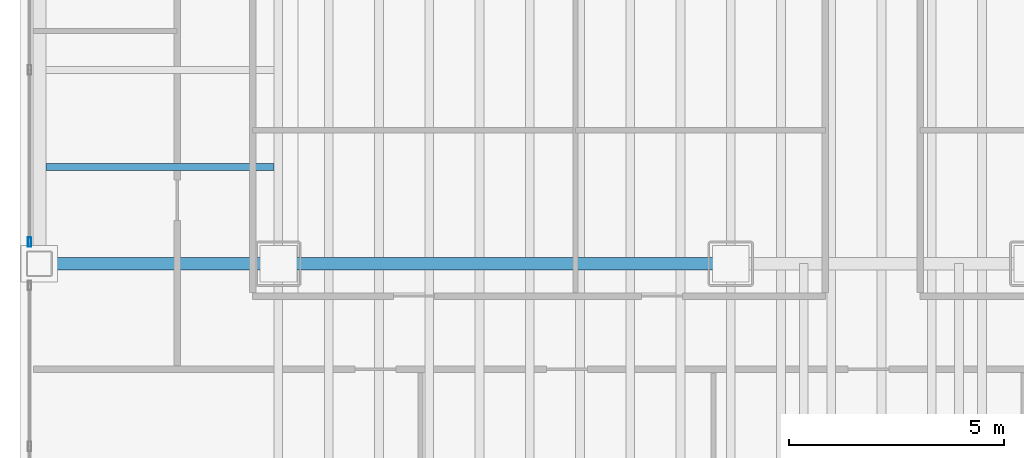
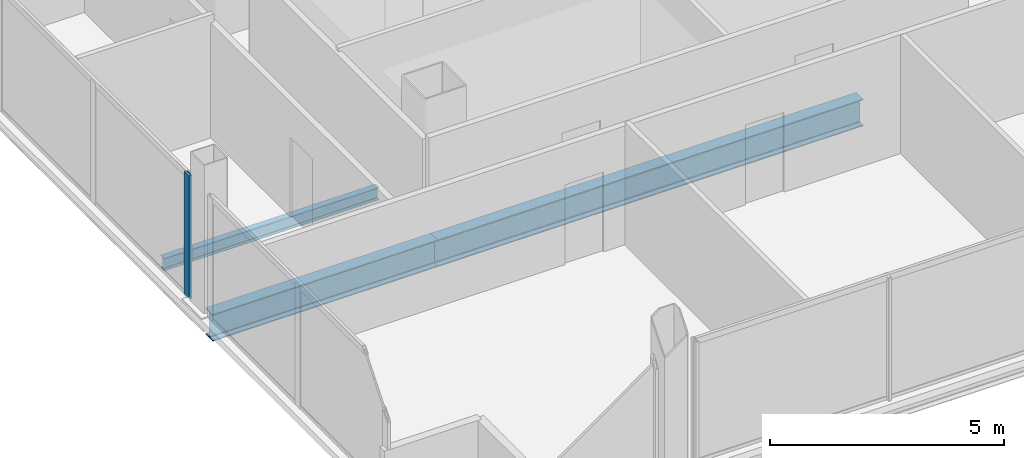
# One storey, part 4 of 22: 3 beams, 1 member, 1 element without a shape of its own.
"""IFC4 building model written with IfcOpenShell, lengths in metres."""

import ifcopenshell
import ifcopenshell.guid

model = None  # the IFC model being written
_history = None  # IfcOwnerHistory: only IFC2X3 demands one
_inside = {}  # id of a spatial element -> (the spatial element, [elements in it])
_under = {}  # id of a project, library or spatial element -> (it, [spatial elements below it])
_declared = {}  # id of a project -> (the project, [libraries it declares])
_typed = {}  # id of a type object -> (the type object, [elements of that type])
_made_of = {}  # id of a material, layer set ... -> (it, [elements and type objects made of it])


def new_model(schema):
    """Start an empty IFC model of exactly this schema.

    Asked for "IFC4X3", IfcOpenShell would pick the latest addendum, in which some entities
    have other attributes; the version numbers below select the first issue.
    IFC2X3 requires an IfcOwnerHistory on every rooted entity: one is made here for all.
    """
    global model, _history
    if schema == "IFC4X3":
        model = ifcopenshell.file(schema_version=(4, 3, 0, 0))
    else:
        model = ifcopenshell.file(schema=schema)
    _inside.clear()
    _under.clear()
    _declared.clear()
    _typed.clear()
    _made_of.clear()
    _history = None
    if model.schema == "IFC2X3":
        org = make("IfcOrganization", Name="unknown")
        user = make(
            "IfcPersonAndOrganization",
            ThePerson=make("IfcPerson", FamilyName="unknown"),
            TheOrganization=org,
        )
        app = make(
            "IfcApplication",
            ApplicationDeveloper=org,
            Version="unknown",
            ApplicationFullName="unknown",
            ApplicationIdentifier="unknown",
        )
        _history = make(
            "IfcOwnerHistory",
            OwningUser=user,
            OwningApplication=app,
            ChangeAction="ADDED",
            CreationDate=0,
        )
    return model


def make(cls, **values):
    """One entity of the class cls with the attributes given. An attribute that is None is left unset."""
    return model.create_entity(
        cls, **{name: value for name, value in values.items() if value is not None}
    )


def rooted(cls, **values):
    """An entity with a GlobalId (a new one), such as an element, a storey or a relation."""
    return make(cls, GlobalId=ifcopenshell.guid.new(), OwnerHistory=_history, **values)


def si_unit(unit_type, name, prefix=None):
    """IfcSIUnit, for example si_unit("LENGTHUNIT", "METRE", prefix="MILLI")."""
    return make("IfcSIUnit", UnitType=unit_type, Prefix=prefix, Name=name)


def assignment(units):
    """IfcUnitAssignment: the units of a project."""
    return None if units is None else make("IfcUnitAssignment", Units=units)


def point(xyz):
    """IfcCartesianPoint."""
    return None if xyz is None else make("IfcCartesianPoint", Coordinates=xyz)


def direction(xyz):
    """IfcDirection."""
    return None if xyz is None else make("IfcDirection", DirectionRatios=xyz)


def frame(location, z_axis=None, x_axis=None):
    """IfcAxis2Placement3D, a coordinate frame: its origin and axes. An axis left out is left unset."""
    return make(
        "IfcAxis2Placement3D",
        Location=point(location),
        Axis=direction(z_axis),
        RefDirection=direction(x_axis),
    )


def frame_2d(location, x_axis=None):
    """IfcAxis2Placement2D, a coordinate frame in the plane: its origin and x axis."""
    return make(
        "IfcAxis2Placement2D", Location=point(location), RefDirection=direction(x_axis)
    )


def origin():
    """The frame at (0, 0, 0) with its axes left unset."""
    return frame((0.0, 0.0, 0.0))


def origin_2d():
    """The frame at (0, 0) in the plane with its x axis left unset."""
    return frame_2d((0.0, 0.0))


def place(relative_to, where):
    """IfcLocalPlacement: puts the frame where relative to a parent placement (None: the world)."""
    return make(
        "IfcLocalPlacement", PlacementRelTo=relative_to, RelativePlacement=where
    )


def context(
    kind, dimensions, precision=None, world=None, true_north=None, identifier=None
):
    """IfcGeometricRepresentationContext, for example the 3D "Model" context."""
    return make(
        "IfcGeometricRepresentationContext",
        ContextIdentifier=identifier,
        ContextType=kind,
        CoordinateSpaceDimension=dimensions,
        Precision=precision,
        WorldCoordinateSystem=world,
        TrueNorth=true_north,
    )


def subcontext(parent, identifier, kind, view, scale=None):
    """IfcGeometricRepresentationSubContext, for example "Body" below "Model"."""
    return make(
        "IfcGeometricRepresentationSubContext",
        ContextIdentifier=identifier,
        ContextType=kind,
        ParentContext=parent,
        TargetScale=scale,
        TargetView=view,
    )


def project(units=None, contexts=None):
    """IfcProject with its units and contexts."""
    return rooted(
        "IfcProject",
        Name="project",
        RepresentationContexts=contexts,
        UnitsInContext=assignment(units),
    )


def spatial(cls, under=None, at=None, **own):
    """A site, building, storey or space (cls), placed at a placement, below another one or the project."""
    s = rooted(cls, ObjectPlacement=at, **own)
    if under is not None:
        _under.setdefault(under.id(), (under, []))[1].append(s)
    return s


def profile(cls, at=None, kind="AREA", **sizes):
    """A parametric profile (cls). Its sizes go by their IFC names, for example OverallWidth=200.0."""
    return make(cls, ProfileType=kind, Position=at, **sizes)


def hollow_rectangle(**sizes):
    """IfcRectangleHollowProfileDef."""
    return profile("IfcRectangleHollowProfileDef", **sizes)


def i_section(**sizes):
    """IfcIShapeProfileDef."""
    return profile("IfcIShapeProfileDef", **sizes)


def extrude(swept, where, along, depth):
    """IfcExtrudedAreaSolid: the profile swept, set in the frame where, extruded along a direction by depth."""
    return make(
        "IfcExtrudedAreaSolid",
        SweptArea=swept,
        Position=where,
        ExtrudedDirection=direction(along),
        Depth=depth,
    )


def shape(context_of_items, identifier, shape_type, items):
    """IfcShapeRepresentation: the items that make up one representation, for example the "Body"."""
    return make(
        "IfcShapeRepresentation",
        ContextOfItems=context_of_items,
        RepresentationIdentifier=identifier,
        RepresentationType=shape_type,
        Items=items,
    )


def material(Name=None, Category=None):
    """IfcMaterial."""
    return make("IfcMaterial", Name=Name, Category=Category)


def material_profile(
    of_material, cross_section, Name=None, Category=None, Priority=None
):
    """IfcMaterialProfile: a cross section and its material."""
    return make(
        "IfcMaterialProfile",
        Name=Name,
        Material=of_material,
        Profile=cross_section,
        Priority=Priority,
        Category=Category,
    )


def profile_set(profiles, Name=None, composite=None):
    """IfcMaterialProfileSet."""
    return make(
        "IfcMaterialProfileSet",
        Name=Name,
        MaterialProfiles=profiles,
        CompositeProfile=composite,
    )


def made_of(thing, what):
    """Note that an element or type object is made of a material, layer set ...; save() writes the relation."""
    if what is not None:
        _made_of.setdefault(what.id(), (what, []))[1].append(thing)
    return thing


def type_object(cls, material=None, **own):
    """A type object (cls), such as IfcWallType, which elements share."""
    return made_of(rooted(cls, **own), material)


def element(
    cls,
    number,
    at=None,
    inside=None,
    cuts=None,
    type_object=None,
    material=None,
    context=None,
    identifier="Body",
    shape_type=None,
    held_by="IfcProductDefinitionShape",
    body=None,
    shapes=None,
    **own,
):
    """One element of the class cls, such as IfcWall. Its Tag is "e" and its number.

    at: its placement. inside: the storey or other place that contains it. cuts: it is an
    opening in that element (IfcRelVoidsElement). A single representation is given by context,
    identifier, shape_type and body (its items); several are given by shapes. held_by: the class
    of the entity that holds the representations. save() writes the other relations.
    """
    e = rooted(cls, Tag="e%d" % number, ObjectPlacement=at, **own)
    if body is not None:
        shapes = [shape(context, identifier, shape_type, body)]
    if shapes is not None:
        e.Representation = make(held_by, Representations=shapes)
    if inside is not None:
        _inside.setdefault(inside.id(), (inside, []))[1].append(e)
    if cuts is not None:
        rooted(
            "IfcRelVoidsElement", RelatingBuildingElement=cuts, RelatedOpeningElement=e
        )
    if type_object is not None:
        _typed.setdefault(type_object.id(), (type_object, []))[1].append(e)
    return made_of(e, material)


def aggregate(whole, parts):
    """IfcRelAggregates: a whole, such as a stair, and the parts it consists of."""
    return rooted("IfcRelAggregates", RelatingObject=whole, RelatedObjects=parts)


def save(model, path):
    """Write the relations noted so far, then the file.

    IfcRelAggregates (storeys below a building ...), IfcRelContainedInSpatialStructure (elements
    in a storey), IfcRelDefinesByType, IfcRelAssociatesMaterial and IfcRelDeclares: one each for
    every whole, place, type object, material and project.
    """
    for whole, parts in _under.values():
        aggregate(whole, parts)
    for where, things in _inside.values():
        rooted(
            "IfcRelContainedInSpatialStructure",
            RelatedElements=things,
            RelatingStructure=where,
        )
    for kind, things in _typed.values():
        rooted("IfcRelDefinesByType", RelatedObjects=things, RelatingType=kind)
    for what, things in _made_of.values():
        rooted("IfcRelAssociatesMaterial", RelatedObjects=things, RelatingMaterial=what)
    for by, libraries in _declared.values():
        rooted("IfcRelDeclares", RelatingContext=by, RelatedDefinitions=libraries)
    model.write(path)


model = new_model("IFC4")

# Units and contexts
model_context = context("Model", 3, precision=1e-05, world=origin(), true_north=direction((0.0, 1.0)))
body_context = subcontext(model_context, "Body", "Model", "MODEL_VIEW")
ifc_project = project(units=[si_unit("LENGTHUNIT", "METRE"), si_unit("AREAUNIT", "SQUARE_METRE"), si_unit("VOLUMEUNIT", "CUBIC_METRE"), si_unit("PLANEANGLEUNIT", "RADIAN"), si_unit("MASSUNIT", "GRAM", prefix="KILO")], contexts=[model_context])

# Site, building, storey
site_placement = place(None, origin())
site = spatial("IfcSite", under=ifc_project, at=site_placement, CompositionType="ELEMENT")
building_placement = place(site_placement, origin())
building = spatial("IfcBuilding", under=site, at=building_placement, Name="Noeulbin Bourse Tower", CompositionType="ELEMENT")
storey_placement = place(building_placement, frame((0.0, 0.0, 88.89990234375)))
storey = spatial("IfcBuildingStorey", under=building, at=storey_placement, Name="L22", CompositionType="ELEMENT", Elevation=88.89990234375)

# Beams
ifc_material_1 = material(Name="Steel S355", Category="steel")
ifc_material_profile_1 = material_profile(ifc_material_1, i_section(OverallWidth=0.300048828125, OverallDepth=0.699951171875, WebThickness=0.012939453125, FlangeThickness=0.02392578125, FilletRadius=0.02392578125, at=origin_2d()), Name="H-700x300x13x24", Category="LoadBearing")
ifc_profile_set_1 = profile_set([ifc_material_profile_1], Name="Steel S355")
beam_type_1 = type_object("IfcBeamType", Name="BM-GRD-700", PredefinedType="USERDEFINED", material=ifc_profile_set_1)
beam_1_placement = place(storey_placement, frame((7.949951171875, 20.0, -0.52978515625), z_axis=(1.0, 0.0, 0.0), x_axis=(0.0, 1.0, 0.0)))
element("IfcBeam", 1, at=beam_1_placement, inside=storey, type_object=beam_type_1, Name="Tower Primary Girder EW L22-1.1", ObjectType="GIRDER", PredefinedType="USERDEFINED", context=body_context, shape_type="SweptSolid", body=[
    extrude(i_section(OverallWidth=0.300048828125, OverallDepth=0.699951171875, WebThickness=0.012939453125, FlangeThickness=0.02392578125, FilletRadius=0.02392578125, at=origin_2d()), origin(), (0.0, 0.0, 1.0), 5.550048828125),
])
beam_2_placement = place(storey_placement, frame((13.5, 20.0, -0.52978515625), z_axis=(1.0, 0.0, 0.0), x_axis=(0.0, 1.0, 0.0)))
element("IfcBeam", 2, at=beam_2_placement, inside=storey, type_object=beam_type_1, Name="Tower Primary Girder EW L22-1.2", ObjectType="GIRDER", PredefinedType="USERDEFINED", context=body_context, shape_type="SweptSolid", body=[
    extrude(i_section(OverallWidth=0.300048828125, OverallDepth=0.699951171875, WebThickness=0.012939453125, FlangeThickness=0.02392578125, FilletRadius=0.02392578125, at=origin_2d()), origin(), (0.0, 0.0, 1.0), 10.5),
])
ifc_material_profile_2 = material_profile(ifc_material_1, i_section(OverallWidth=0.159912109375, OverallDepth=0.320068359375, WebThickness=0.006591796875, FlangeThickness=0.010009765625, FilletRadius=0.012939453125, at=origin_2d()), Name="H-320x160x6.5x10", Category="LoadBearing")
ifc_profile_set_2 = profile_set([ifc_material_profile_2], Name="Steel S355")
beam_type_2 = type_object("IfcBeamType", Name="BM-JST-320", PredefinedType="JOIST", material=ifc_profile_set_2)
beam_3_placement = place(storey_placement, frame((8.10009765625, 22.25, -0.33984375), z_axis=(1.0, 0.0, 0.0), x_axis=(0.0, 1.0, 0.0)))
element("IfcBeam", 3, at=beam_3_placement, inside=storey, type_object=beam_type_2, Name="Wing Composite Joist L22-W70", PredefinedType="JOIST", context=body_context, shape_type="SweptSolid", body=[
    extrude(i_section(OverallWidth=0.159912109375, OverallDepth=0.320068359375, WebThickness=0.006591796875, FlangeThickness=0.010009765625, FilletRadius=0.012939453125, at=origin_2d()), origin(), (0.0, 0.0, 1.0), 5.2998046875),
])

# Curtain wall, member
ifc_material_2 = material(Name="Dark Solar-Control Double Glazing", Category="glass")
curtain_wall_type = type_object("IfcCurtainWallType", Name="CW-SYS-2", PredefinedType="NOTDEFINED", material=ifc_material_2)
curtain_wall_placement = place(storey_placement, origin())
curtain_wall = element("IfcCurtainWall", 4, at=curtain_wall_placement, inside=storey, type_object=curtain_wall_type, Name="Unitised Curtain Wall CW-L22-W-S2", PredefinedType="NOTDEFINED")
ifc_material_3 = material(Name="Anodised Aluminium 6063-T6", Category="aluminium")
ifc_material_profile_3 = material_profile(ifc_material_3, hollow_rectangle(XDim=0.074951171875, YDim=0.219970703125, WallThickness=0.0048828125, InnerFilletRadius=0.00244140625, OuterFilletRadius=0.0048828125, at=origin_2d()), Name="ALU-MULL-75x220x5", Category="LoadBearing")
ifc_profile_set_3 = profile_set([ifc_material_profile_3], Name="Anodised Aluminium 6063-T6")
member_type = type_object("IfcMemberType", Name="CW-SYS-2-MUL", PredefinedType="MULLION", material=ifc_profile_set_3)
member_placement = place(storey_placement, frame((7.719970703125, 20.5, -0.02001953125), z_axis=(0.0, 0.0, 1.0), x_axis=(1.0, 0.0, 0.0)))
member = element("IfcMember", 5, at=member_placement, type_object=member_type, Name="Curtain Wall Mullion CW-L22-W-S2-M00", PredefinedType="MULLION", context=body_context, shape_type="SweptSolid", body=[
    extrude(hollow_rectangle(XDim=0.074951171875, YDim=0.219970703125, WallThickness=0.0048828125, InnerFilletRadius=0.00244140625, OuterFilletRadius=0.0048828125, at=origin_2d()), origin(), (0.0, 0.0, 1.0), 3.22021484375),
])
aggregate(curtain_wall, [member])

save(model, "model.ifc")
